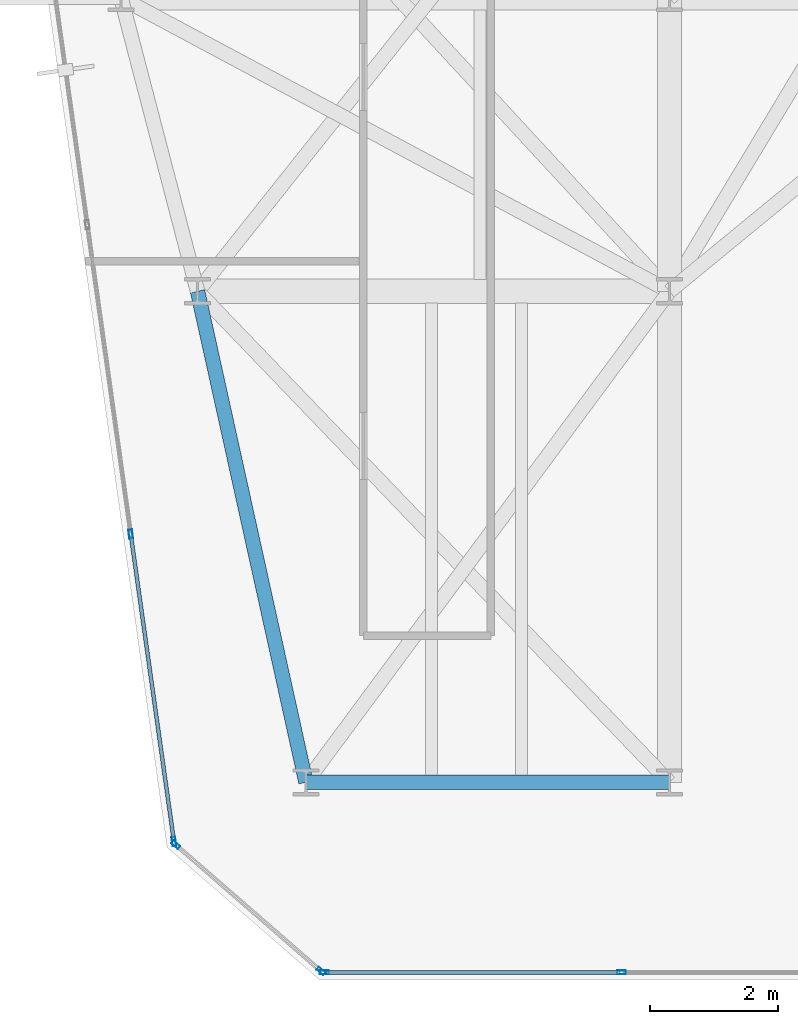
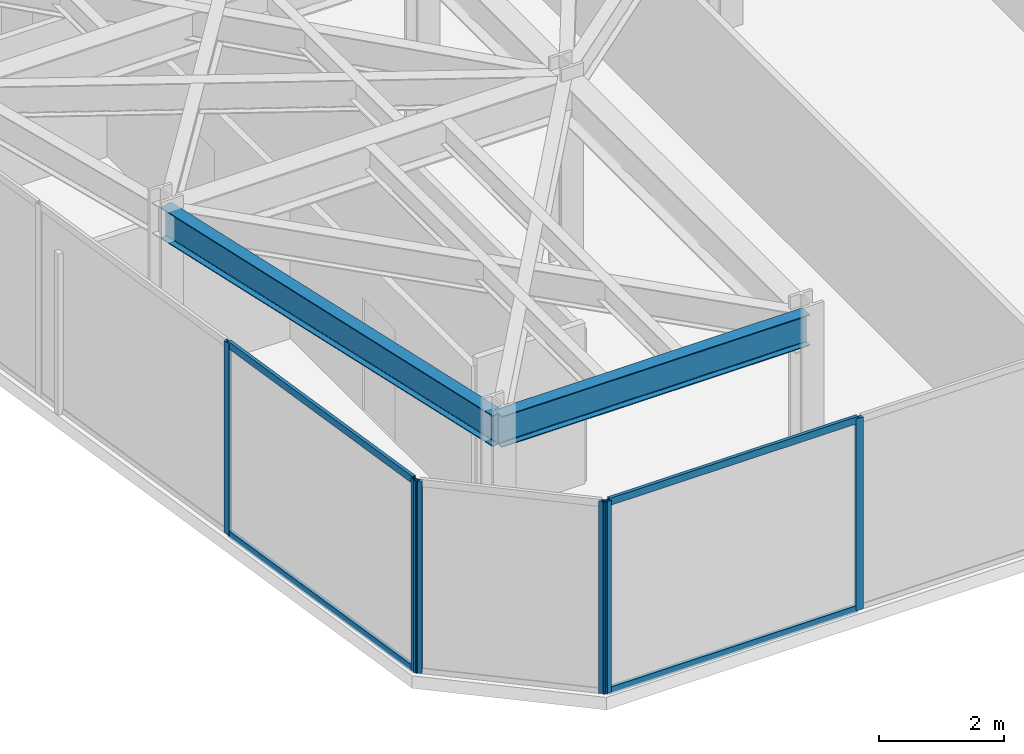
# One storey, part 2 of 27: 10 members, 2 beams, 3 elements without a shape of their own.
"""IFC4 building model written with IfcOpenShell, lengths in metres."""

from ifc_helpers import new_model, si_unit, direction, frame, origin, origin_2d, place, context, subcontext, project, spatial, hollow_rectangle, i_section, extrude, material, layer, layer_set, material_profile, profile_set, type_object, element, aggregate, save


model = new_model("IFC4")

# Units and contexts
model_context = context("Model", 3, precision=1e-05, world=origin(), true_north=direction((0.0, 1.0)))
body_context = subcontext(model_context, "Body", "Model", "MODEL_VIEW")
ifc_project = project(units=[si_unit("LENGTHUNIT", "METRE"), si_unit("AREAUNIT", "SQUARE_METRE"), si_unit("VOLUMEUNIT", "CUBIC_METRE"), si_unit("PLANEANGLEUNIT", "RADIAN"), si_unit("MASSUNIT", "GRAM", prefix="KILO")], contexts=[model_context])

# Site, building, storey
site_placement = place(None, origin())
site = spatial("IfcSite", under=ifc_project, at=site_placement, CompositionType="ELEMENT")
building_placement = place(site_placement, origin())
building = spatial("IfcBuilding", under=site, at=building_placement, Name="Kravanh Interchange Tower", CompositionType="ELEMENT")
storey_placement = place(building_placement, frame((0.0, 0.0, 188.5)))
storey = spatial("IfcBuildingStorey", under=building, at=storey_placement, Name="L45", CompositionType="ELEMENT", Elevation=188.5)

# Curtain wall, members
ifc_material_1 = material(Name="Anodised Bronze Aluminium", Category="aluminium")
ifc_layer = layer(ifc_material_1, 0.179931640625)
ifc_layer_set = layer_set([ifc_layer], Name="Unitised Curtain Wall System CW-Z3 Upper Office")
curtain_wall_type = type_object("IfcCurtainWallType", Name="Unitised Curtain Wall System CW-Z3 Upper Office", PredefinedType="NOTDEFINED", material=ifc_layer_set)
curtain_wall_1_placement = place(storey_placement, origin())
curtain_wall_1 = element("IfcCurtainWall", 1, at=curtain_wall_1_placement, inside=storey, type_object=curtain_wall_type, Name="L45 Unitised Curtain Wall CW-L45-01", PredefinedType="NOTDEFINED")
ifc_material_2 = material(Name="Anodised Bronze Aluminium", Category="aluminium")
ifc_material_profile_1 = material_profile(ifc_material_2, hollow_rectangle(XDim=0.06005859375, YDim=0.139892578125, WallThickness=0.00390625, at=origin_2d()), Name="ALU60X140X4")
ifc_profile_set_1 = profile_set([ifc_material_profile_1], Name="Anodised Bronze Aluminium")
member_type_1 = type_object("IfcMemberType", Name="Curtain Wall Mullion ALU60X140X4 Bronze", PredefinedType="MULLION", material=ifc_profile_set_1)
member_1_placement = place(storey_placement, frame((19.43017578125, 13.5703125, 0.0), z_axis=(0.0, 0.0, 1.0), x_axis=(-0.990268194035, -0.139172209446, 0.0)))
member_1 = element("IfcMember", 2, at=member_1_placement, type_object=member_type_1, Name="CW-Z3 mullion 1", PredefinedType="MULLION", context=body_context, shape_type="SweptSolid", body=[
    extrude(hollow_rectangle(XDim=0.06005859375, YDim=0.139892578125, WallThickness=0.00390625, at=origin_2d()), origin(), (0.0, 0.0, 1.0), 3.7548828125),
])
member_2_placement = place(storey_placement, frame((18.75244140625, 18.392578125, 0.0), z_axis=(0.0, 0.0, 1.0), x_axis=(-0.990268194035, -0.139172209446, 0.0)))
member_2 = element("IfcMember", 3, at=member_2_placement, type_object=member_type_1, Name="CW-Z3 mullion 2", PredefinedType="MULLION", context=body_context, shape_type="SweptSolid", body=[
    extrude(hollow_rectangle(XDim=0.06005859375, YDim=0.139892578125, WallThickness=0.00390625, at=origin_2d()), origin(), (0.0, 0.0, 1.0), 3.7548828125),
])

curtain_wall_2_placement = place(storey_placement, origin())
curtain_wall_2 = element("IfcCurtainWall", 4, at=curtain_wall_2_placement, inside=storey, type_object=curtain_wall_type, Name="L45 Unitised Curtain Wall CW-L45-06", PredefinedType="NOTDEFINED")
member_3_placement = place(storey_placement, frame((26.447998046875, 11.52001953125, 0.0), z_axis=(0.0, 0.0, 1.0), x_axis=(0.0, -1.0, 0.0)))
member_3 = element("IfcMember", 5, at=member_3_placement, type_object=member_type_1, Name="CW-Z3 mullion 2", PredefinedType="MULLION", context=body_context, shape_type="SweptSolid", body=[
    extrude(hollow_rectangle(XDim=0.06005859375, YDim=0.139892578125, WallThickness=0.00390625, at=origin_2d()), origin(), (0.0, 0.0, 1.0), 3.7548828125),
])
member_4_placement = place(storey_placement, frame((21.7890625, 11.52001953125, 0.0), z_axis=(0.0, 0.0, 1.0), x_axis=(0.0, -1.0, 0.0)))
member_4 = element("IfcMember", 6, at=member_4_placement, type_object=member_type_1, Name="CW-Z3 mullion 3", PredefinedType="MULLION", context=body_context, shape_type="SweptSolid", body=[
    extrude(hollow_rectangle(XDim=0.06005859375, YDim=0.139892578125, WallThickness=0.00390625, at=origin_2d()), origin(), (0.0, 0.0, 1.0), 3.7548828125),
])

curtain_wall_3_placement = place(storey_placement, origin())
curtain_wall_3 = element("IfcCurtainWall", 7, at=curtain_wall_3_placement, inside=storey, type_object=curtain_wall_type, Name="L45 Unitised Curtain Wall CW-L45-07", PredefinedType="NOTDEFINED")
member_5_placement = place(storey_placement, frame((21.736328125, 11.539794921875, 0.0), z_axis=(0.0, 0.0, 1.0), x_axis=(-0.65605090137, -0.754716645379, 0.0)))
member_5 = element("IfcMember", 8, at=member_5_placement, type_object=member_type_1, Name="CW-Z3 mullion 1", PredefinedType="MULLION", context=body_context, shape_type="SweptSolid", body=[
    extrude(hollow_rectangle(XDim=0.06005859375, YDim=0.139892578125, WallThickness=0.00390625, at=origin_2d()), origin(), (0.0, 0.0, 1.0), 3.7548828125),
])
member_6_placement = place(storey_placement, frame((19.45703125, 13.52099609375, 0.0), z_axis=(0.0, 0.0, 1.0), x_axis=(-0.65605090137, -0.754716645379, 0.0)))
member_6 = element("IfcMember", 9, at=member_6_placement, type_object=member_type_1, Name="CW-Z3 mullion 2", PredefinedType="MULLION", context=body_context, shape_type="SweptSolid", body=[
    extrude(hollow_rectangle(XDim=0.06005859375, YDim=0.139892578125, WallThickness=0.00390625, at=origin_2d()), origin(), (0.0, 0.0, 1.0), 3.7548828125),
])
aggregate(curtain_wall_3, [member_5, member_6])

# Member
ifc_material_3 = material(Name="Anodised Bronze Aluminium", Category="aluminium")
ifc_material_profile_2 = material_profile(ifc_material_3, hollow_rectangle(XDim=0.06005859375, YDim=0.139892578125, WallThickness=0.00390625, at=origin_2d()), Name="ALU60X140X4")
ifc_profile_set_2 = profile_set([ifc_material_profile_2], Name="Anodised Bronze Aluminium")
member_type_2 = type_object("IfcMemberType", Name="Curtain Wall Transom ALU60X140X4 Bronze", PredefinedType="USERDEFINED", material=ifc_profile_set_2)
member_7_placement = place(storey_placement, frame((19.426025390625, 13.60009765625, 0.030029296875), z_axis=(-0.139189497915, 0.990265764161, 0.0), x_axis=(-0.990265764161, -0.139189497915, 0.0)))
member_7 = element("IfcMember", 10, at=member_7_placement, type_object=member_type_2, Name="CW-Z3 transom 1.1", ObjectType="TRANSOM", PredefinedType="USERDEFINED", context=body_context, shape_type="SweptSolid", body=[
    extrude(hollow_rectangle(XDim=0.06005859375, YDim=0.139892578125, WallThickness=0.00390625, at=origin_2d()), origin(), (0.0, 0.0, 1.0), 4.8095703125),
])

member_8_placement = place(storey_placement, frame((19.426025390625, 13.60009765625, 3.72509765625), z_axis=(-0.139189497915, 0.990265764161, 0.0), x_axis=(-0.990265764161, -0.139189497915, 0.0)))
member_8 = element("IfcMember", 11, at=member_8_placement, type_object=member_type_2, Name="CW-Z3 transom 1.2", ObjectType="TRANSOM", PredefinedType="USERDEFINED", context=body_context, shape_type="SweptSolid", body=[
    extrude(hollow_rectangle(XDim=0.06005859375, YDim=0.139892578125, WallThickness=0.00390625, at=origin_2d()), origin(), (0.0, 0.0, 1.0), 4.8095703125),
])

aggregate(curtain_wall_1, [member_1, member_2, member_7, member_8])

member_9_placement = place(storey_placement, frame((26.41796875, 11.52001953125, 0.030029296875), z_axis=(-1.0, 0.0, 0.0), x_axis=(0.0, -1.0, 0.0)))
member_9 = element("IfcMember", 12, at=member_9_placement, type_object=member_type_2, Name="CW-Z3 transom 2.1", ObjectType="TRANSOM", PredefinedType="USERDEFINED", context=body_context, shape_type="SweptSolid", body=[
    extrude(hollow_rectangle(XDim=0.06005859375, YDim=0.139892578125, WallThickness=0.00390625, at=origin_2d()), origin(), (0.0, 0.0, 1.0), 4.598876953125),
])

member_10_placement = place(storey_placement, frame((26.41796875, 11.52001953125, 3.72509765625), z_axis=(-1.0, 0.0, 0.0), x_axis=(0.0, -1.0, 0.0)))
member_10 = element("IfcMember", 13, at=member_10_placement, type_object=member_type_2, Name="CW-Z3 transom 2.2", ObjectType="TRANSOM", PredefinedType="USERDEFINED", context=body_context, shape_type="SweptSolid", body=[
    extrude(hollow_rectangle(XDim=0.06005859375, YDim=0.139892578125, WallThickness=0.00390625, at=origin_2d()), origin(), (0.0, 0.0, 1.0), 4.598876953125),
])

aggregate(curtain_wall_2, [member_3, member_4, member_9, member_10])

# Beams
ifc_material_4 = material(Name="Structural Steel S355", Category="steel")
ifc_material_profile_3 = material_profile(ifc_material_4, i_section(OverallWidth=0.22802734375, OverallDepth=0.60791015625, WebThickness=0.01123046875, FlangeThickness=0.017333984375, FilletRadius=0.02197265625, at=origin_2d()), Name="W24X76")
ifc_profile_set_3 = profile_set([ifc_material_profile_3], Name="Structural Steel S355")
beam_type = type_object("IfcBeamType", Name="Floor Spandrel W24X76 Structural Steel S355", PredefinedType="SPANDREL", material=ifc_profile_set_3)
beam_1_placement = place(storey_placement, frame((21.5, 14.5, 3.450927734375), z_axis=(1.0, 0.0, 0.0), x_axis=(0.0, 1.0, 0.0)))
element("IfcBeam", 14, at=beam_1_placement, inside=storey, type_object=beam_type, Name="L45 Perimeter Spandrel 30", PredefinedType="SPANDREL", context=body_context, shape_type="SweptSolid", body=[
    extrude(i_section(OverallWidth=0.22802734375, OverallDepth=0.60791015625, WebThickness=0.01123046875, FlangeThickness=0.017333984375, FilletRadius=0.02197265625, at=origin_2d()), origin(), (0.0, 0.0, 1.0), 5.699951171875),
])
beam_2_placement = place(storey_placement, frame((21.5, 14.5, 3.450927734375), z_axis=(-0.215582892261, 0.976485543449, 0.0), x_axis=(-0.976485543449, -0.215582892261, 0.0)))
element("IfcBeam", 15, at=beam_2_placement, inside=storey, type_object=beam_type, Name="L45 Perimeter Spandrel 31", PredefinedType="SPANDREL", context=body_context, shape_type="SweptSolid", body=[
    extrude(i_section(OverallWidth=0.22802734375, OverallDepth=0.60791015625, WebThickness=0.01123046875, FlangeThickness=0.017333984375, FilletRadius=0.02197265625, at=origin_2d()), origin(), (0.0, 0.0, 1.0), 7.88525390625),
])

save(model, "model.ifc")
